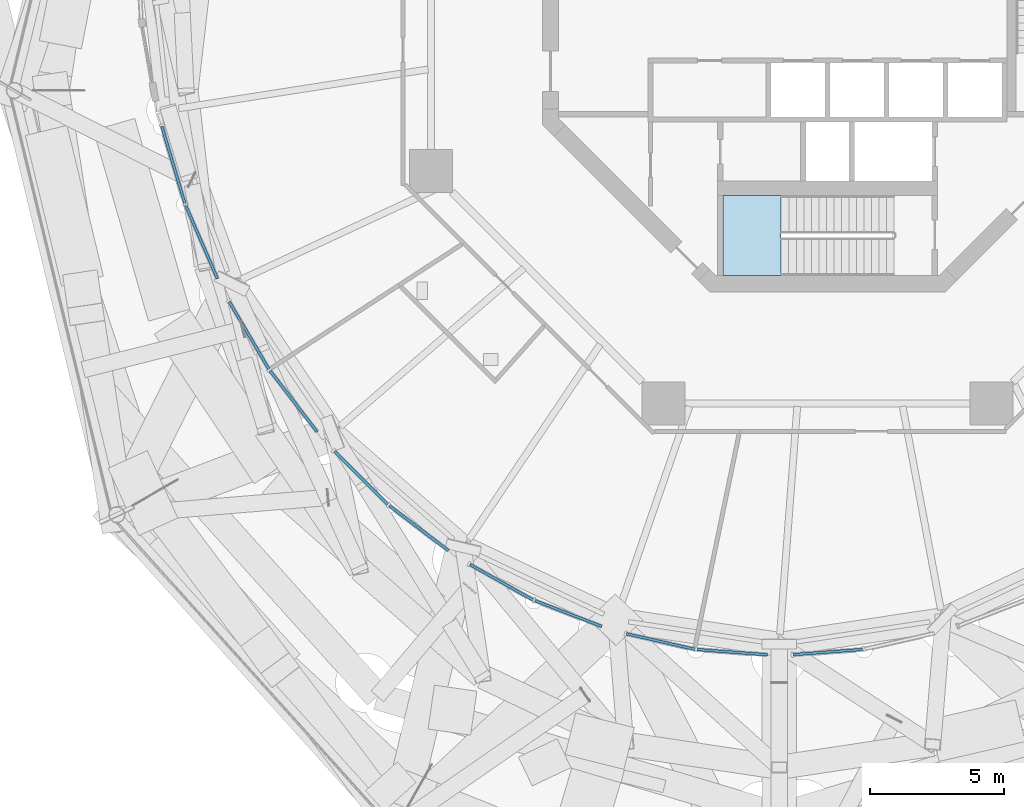
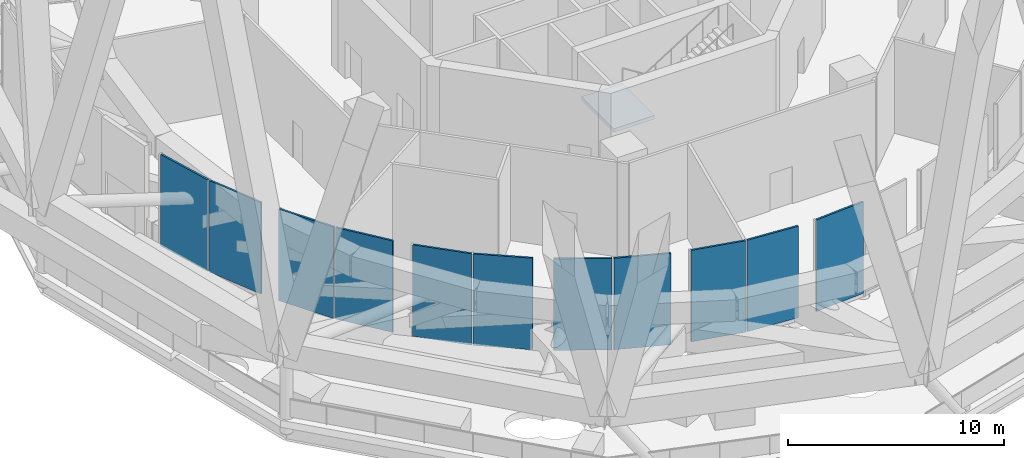
# One storey, part 36 of 48: 11 plates, 1 slab, 12 elements without a shape of their own.
"""IFC4 building model written with IfcOpenShell, lengths in metres."""

from ifc_helpers import new_model, si_unit, direction, frame, origin, origin_2d, place, context, subcontext, project, spatial, polyline, rectangle, outline, extrude, material, layer, layer_set, type_object, element, aggregate, save


model = new_model("IFC4")

# Units and contexts
model_context = context("Model", 3, precision=1e-05, world=origin(), true_north=direction((0.0, 1.0)))
body_context = subcontext(model_context, "Body", "Model", "MODEL_VIEW")
ifc_project = project(units=[si_unit("LENGTHUNIT", "METRE"), si_unit("AREAUNIT", "SQUARE_METRE"), si_unit("VOLUMEUNIT", "CUBIC_METRE"), si_unit("PLANEANGLEUNIT", "RADIAN"), si_unit("MASSUNIT", "GRAM", prefix="KILO")], contexts=[model_context])

# Site, building, storey
site_placement = place(None, origin())
site = spatial("IfcSite", under=ifc_project, at=site_placement, CompositionType="ELEMENT")
building_placement = place(site_placement, origin())
building = spatial("IfcBuilding", under=site, at=building_placement, Name="Nagisa Residences", CompositionType="ELEMENT")
storey_placement = place(building_placement, frame((0.0, 0.0, 252.89990234375)))
storey = spatial("IfcBuildingStorey", under=building, at=storey_placement, Name="L64", CompositionType="ELEMENT", Elevation=252.89990234375)

# Curtain wall, plate
ifc_material_1 = material(Name="Aluminium curtain wall system", Category="aluminium")
ifc_layer_1 = layer(ifc_material_1, 0.159912109375)
ifc_layer_set_1 = layer_set([ifc_layer_1], Name="CW2 CURTAIN WALL")
curtain_wall_type = type_object("IfcCurtainWallType", Name="CW2 CURTAIN WALL", PredefinedType="NOTDEFINED", material=ifc_layer_set_1)
curtain_wall_1_placement = place(storey_placement, origin())
curtain_wall_1 = element("IfcCurtainWall", 1, at=curtain_wall_1_placement, inside=storey, type_object=curtain_wall_type, Name="cw:CW2:L64:26", PredefinedType="NOTDEFINED")
ifc_material_2 = material(Name="Insulated metal spandrel panel")
ifc_layer_2 = layer(ifc_material_2, 0.10009765625)
ifc_layer_set_2 = layer_set([ifc_layer_2], Name="CW2 SPANDREL PANEL")
plate_type = type_object("IfcPlateType", Name="CW2 SPANDREL PANEL", PredefinedType="SHEET", material=ifc_layer_set_2)
plate_1_placement = place(storey_placement, frame((-24.391357421875, -5.898681640625, 0.18017578125), z_axis=(0.0, 0.0, 1.0), x_axis=(0.285860274038, -0.958271310082, 0.0)))
plate_1 = element("IfcPlate", 2, at=plate_1_placement, type_object=plate_type, Name="CW2 spandrel panel", PredefinedType="SHEET", context=body_context, shape_type="SweptSolid", body=[
    extrude(rectangle(XDim=3.010498046875, YDim=0.10009765625, at=origin_2d()), origin(), (0.0, 0.0, 1.0), 5.159912109375),
])
aggregate(curtain_wall_1, [plate_1])

curtain_wall_2_placement = place(storey_placement, origin())
curtain_wall_2 = element("IfcCurtainWall", 3, at=curtain_wall_2_placement, inside=storey, type_object=curtain_wall_type, Name="cw:CW2:L64:27", PredefinedType="NOTDEFINED")
plate_2_placement = place(storey_placement, frame((-23.341552734375, -8.76904296875, 0.18017578125), z_axis=(0.0, 0.0, 1.0), x_axis=(0.397635934147, -0.917543276295, 0.0)))
plate_2 = element("IfcPlate", 4, at=plate_2_placement, type_object=plate_type, Name="CW2 spandrel panel", PredefinedType="SHEET", context=body_context, shape_type="SweptSolid", body=[
    extrude(rectangle(XDim=2.97216796875, YDim=0.10009765625, at=origin_2d()), origin(), (0.0, 0.0, 1.0), 5.159912109375),
])
aggregate(curtain_wall_2, [plate_2])

curtain_wall_3_placement = place(storey_placement, origin())
curtain_wall_3 = element("IfcCurtainWall", 5, at=curtain_wall_3_placement, inside=storey, type_object=curtain_wall_type, Name="cw:CW2:L64:28", PredefinedType="NOTDEFINED")
plate_3_placement = place(storey_placement, frame((-21.5673828125, -12.2548828125, 0.18017578125), z_axis=(0.0, 0.0, 1.0), x_axis=(0.506348567002, -0.862328898214, 0.0)))
plate_3 = element("IfcPlate", 6, at=plate_3_placement, type_object=plate_type, Name="CW2 spandrel panel", PredefinedType="SHEET", context=body_context, shape_type="SweptSolid", body=[
    extrude(rectangle(XDim=2.924560546875, YDim=0.10009765625, at=origin_2d()), origin(), (0.0, 0.0, 1.0), 5.159912109375),
])
aggregate(curtain_wall_3, [plate_3])

curtain_wall_4_placement = place(storey_placement, origin())
curtain_wall_4 = element("IfcCurtainWall", 7, at=curtain_wall_4_placement, inside=storey, type_object=curtain_wall_type, Name="cw:CW2:L64:29", PredefinedType="NOTDEFINED")
plate_4_placement = place(storey_placement, frame((-19.90771484375, -14.707763671875, 0.18017578125), z_axis=(0.0, 0.0, 1.0), x_axis=(0.610429828235, -0.792070340816, 0.0)))
plate_4 = element("IfcPlate", 8, at=plate_4_placement, type_object=plate_type, Name="CW2 spandrel panel", PredefinedType="SHEET", context=body_context, shape_type="SweptSolid", body=[
    extrude(rectangle(XDim=2.870849609375, YDim=0.10009765625, at=origin_2d()), origin(), (0.0, 0.0, 1.0), 5.159912109375),
])
aggregate(curtain_wall_4, [plate_4])

curtain_wall_5_placement = place(storey_placement, origin())
curtain_wall_5 = element("IfcCurtainWall", 9, at=curtain_wall_5_placement, inside=storey, type_object=curtain_wall_type, Name="cw:CW2:L64:30", PredefinedType="NOTDEFINED")
plate_5_placement = place(storey_placement, frame((-17.392333984375, -17.561767578125, 0.18017578125), z_axis=(0.0, 0.0, 1.0), x_axis=(0.707835924016, -0.706376885714, 0.0)))
plate_5 = element("IfcPlate", 10, at=plate_5_placement, type_object=plate_type, Name="CW2 spandrel panel", PredefinedType="SHEET", context=body_context, shape_type="SweptSolid", body=[
    extrude(rectangle(XDim=2.814208984375, YDim=0.10009765625, at=origin_2d()), origin(), (0.0, 0.0, 1.0), 5.159912109375),
])
aggregate(curtain_wall_5, [plate_5])

curtain_wall_6_placement = place(storey_placement, origin())
curtain_wall_6 = element("IfcCurtainWall", 11, at=curtain_wall_6_placement, inside=storey, type_object=curtain_wall_type, Name="cw:CW2:L64:31", PredefinedType="NOTDEFINED")
plate_6_placement = place(storey_placement, frame((-15.24267578125, -19.431884765625, 0.18017578125), z_axis=(0.0, 0.0, 1.0), x_axis=(0.79603132756, -0.605255421737, 0.0)))
plate_6 = element("IfcPlate", 12, at=plate_6_placement, type_object=plate_type, Name="CW2 spandrel panel", PredefinedType="SHEET", context=body_context, shape_type="SweptSolid", body=[
    extrude(rectangle(XDim=2.7587890625, YDim=0.10009765625, at=origin_2d()), origin(), (0.0, 0.0, 1.0), 5.159912109375),
])
aggregate(curtain_wall_6, [plate_6])

curtain_wall_7_placement = place(storey_placement, origin())
curtain_wall_7 = element("IfcCurtainWall", 13, at=curtain_wall_7_placement, inside=storey, type_object=curtain_wall_type, Name="cw:CW2:L64:32", PredefinedType="NOTDEFINED")
plate_7_placement = place(storey_placement, frame((-12.15283203125, -21.455078125, 0.18017578125), z_axis=(0.0, 0.0, 1.0), x_axis=(0.872072377523, -0.489376918501, 0.0)))
plate_7 = element("IfcPlate", 14, at=plate_7_placement, type_object=plate_type, Name="CW2 spandrel panel", PredefinedType="SHEET", context=body_context, shape_type="SweptSolid", body=[
    extrude(rectangle(XDim=2.7080078125, YDim=0.10009765625, at=origin_2d()), origin(), (0.0, 0.0, 1.0), 5.159912109375),
])
aggregate(curtain_wall_7, [plate_7])

curtain_wall_8_placement = place(storey_placement, origin())
curtain_wall_8 = element("IfcCurtainWall", 15, at=curtain_wall_8_placement, inside=storey, type_object=curtain_wall_type, Name="cw:CW2:L64:33", PredefinedType="NOTDEFINED")
plate_8_placement = place(storey_placement, frame((-9.664306640625, -22.621826171875, 0.18017578125), z_axis=(0.0, 0.0, 1.0), x_axis=(0.932825759707, -0.360327770268, 0.0)))
plate_8 = element("IfcPlate", 16, at=plate_8_placement, type_object=plate_type, Name="CW2 spandrel panel", PredefinedType="SHEET", context=body_context, shape_type="SweptSolid", body=[
    extrude(rectangle(XDim=2.666015625, YDim=0.10009765625, at=origin_2d()), origin(), (0.0, 0.0, 1.0), 5.159912109375),
])
aggregate(curtain_wall_8, [plate_8])

curtain_wall_9_placement = place(storey_placement, origin())
curtain_wall_9 = element("IfcCurtainWall", 17, at=curtain_wall_9_placement, inside=storey, type_object=curtain_wall_type, Name="cw:CW2:L64:34", PredefinedType="NOTDEFINED")
plate_9_placement = place(storey_placement, frame((-6.209716796875, -23.6689453125, 0.18017578125), z_axis=(0.0, 0.0, 1.0), x_axis=(0.975327274089, -0.2207639201, 0.0)))
plate_9 = element("IfcPlate", 18, at=plate_9_placement, type_object=plate_type, Name="CW2 spandrel panel", PredefinedType="SHEET", context=body_context, shape_type="SweptSolid", body=[
    extrude(rectangle(XDim=2.63623046875, YDim=0.10009765625, at=origin_2d()), origin(), (0.0, 0.0, 1.0), 5.159912109375),
])
aggregate(curtain_wall_9, [plate_9])

curtain_wall_10_placement = place(storey_placement, origin())
curtain_wall_10 = element("IfcCurtainWall", 19, at=curtain_wall_10_placement, inside=storey, type_object=curtain_wall_type, Name="cw:CW2:L64:35", PredefinedType="NOTDEFINED")
plate_10_placement = place(storey_placement, frame((-3.54931640625, -24.0615234375, 0.18017578125), z_axis=(0.0, 0.0, 1.0), x_axis=(0.997230168512, -0.074377355493, 0.0)))
plate_10 = element("IfcPlate", 20, at=plate_10_placement, type_object=plate_type, Name="CW2 spandrel panel", PredefinedType="SHEET", context=body_context, shape_type="SweptSolid", body=[
    extrude(rectangle(XDim=2.62060546875, YDim=0.10009765625, at=origin_2d()), origin(), (0.0, 0.0, 1.0), 5.159912109375),
])
aggregate(curtain_wall_10, [plate_10])

curtain_wall_11_placement = place(storey_placement, origin())
curtain_wall_11 = element("IfcCurtainWall", 21, at=curtain_wall_11_placement, inside=storey, type_object=curtain_wall_type, Name="cw:CW2:L64:36", PredefinedType="NOTDEFINED")
plate_11_placement = place(storey_placement, frame((0.029296875, -24.0556640625, 0.18017578125), z_axis=(0.0, 0.0, 1.0), x_axis=(0.997230168512, 0.074377355493, 0.0)))
plate_11 = element("IfcPlate", 22, at=plate_11_placement, type_object=plate_type, Name="CW2 spandrel panel", PredefinedType="SHEET", context=body_context, shape_type="SweptSolid", body=[
    extrude(rectangle(XDim=2.62060546875, YDim=0.10009765625, at=origin_2d()), origin(), (0.0, 0.0, 1.0), 5.159912109375),
])
aggregate(curtain_wall_11, [plate_11])

# Stair, slab
ifc_material_3 = material(Name="Concrete C60", Category="concrete")
stair_type = type_object("IfcStairType", Name="Exit stair", PredefinedType="HALF_TURN_STAIR", material=ifc_material_3)
stair_placement = place(storey_placement, origin())
stair = element("IfcStair", 23, at=stair_placement, inside=storey, type_object=stair_type, Name="L64 Exit stair S", PredefinedType="HALF_TURN_STAIR")
ifc_material_4 = material(Name="Concrete C60", Category="concrete")
ifc_layer_3 = layer(ifc_material_4, 0.199951171875)
ifc_layer_set_3 = layer_set([ifc_layer_3], Name="Stair landing")
slab_type = type_object("IfcSlabType", Name="Stair landing", PredefinedType="LANDING", material=ifc_layer_set_3)
slab_placement = place(storey_placement, frame((0.0, 0.0, 2.60009765625)))
slab = element("IfcSlab", 24, at=slab_placement, type_object=slab_type, Name="ST-S landing 1", PredefinedType="LANDING", context=body_context, shape_type="SweptSolid", body=[
    extrude(outline(polyline([(-1.72509765625, -7.024658203125), (-3.89990234375, -7.024658203125), (-3.89990234375, -10.024658203125), (-1.72509765625, -10.024658203125), (-1.72509765625, -7.024658203125)])), origin(), (0.0, 0.0, 1.0), 0.199951171875),
])
aggregate(stair, [slab])

save(model, "model.ifc")
